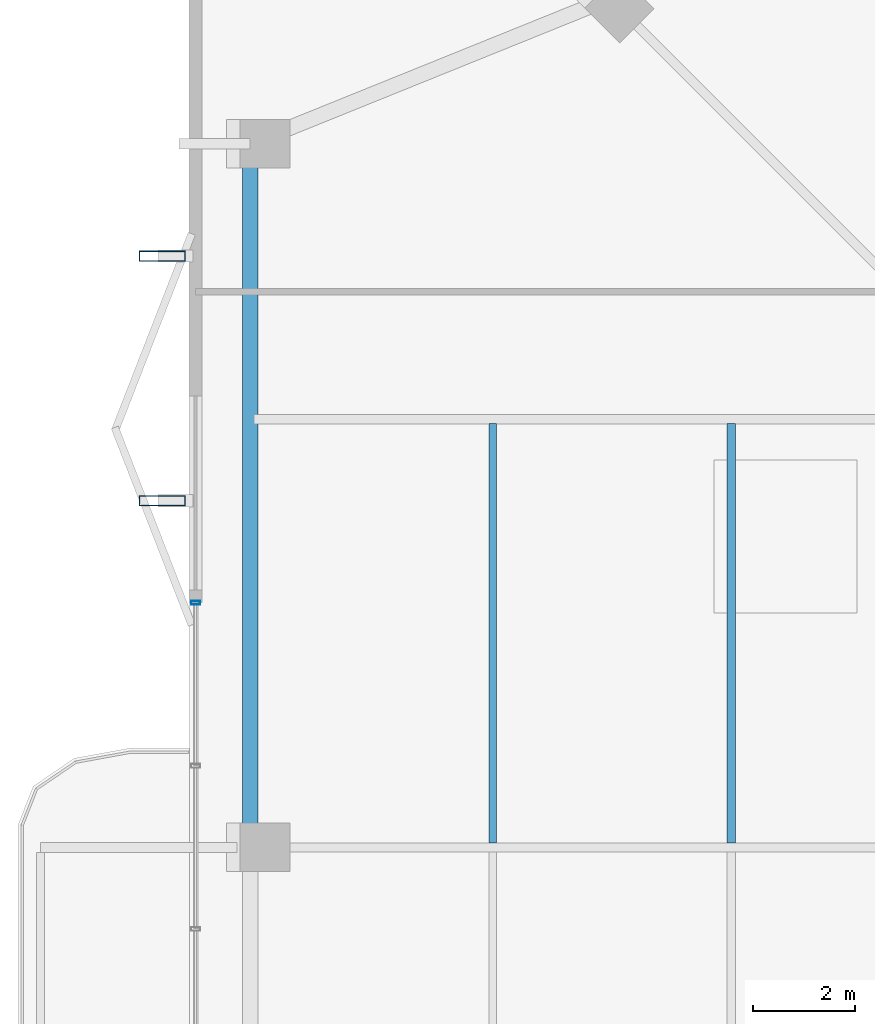
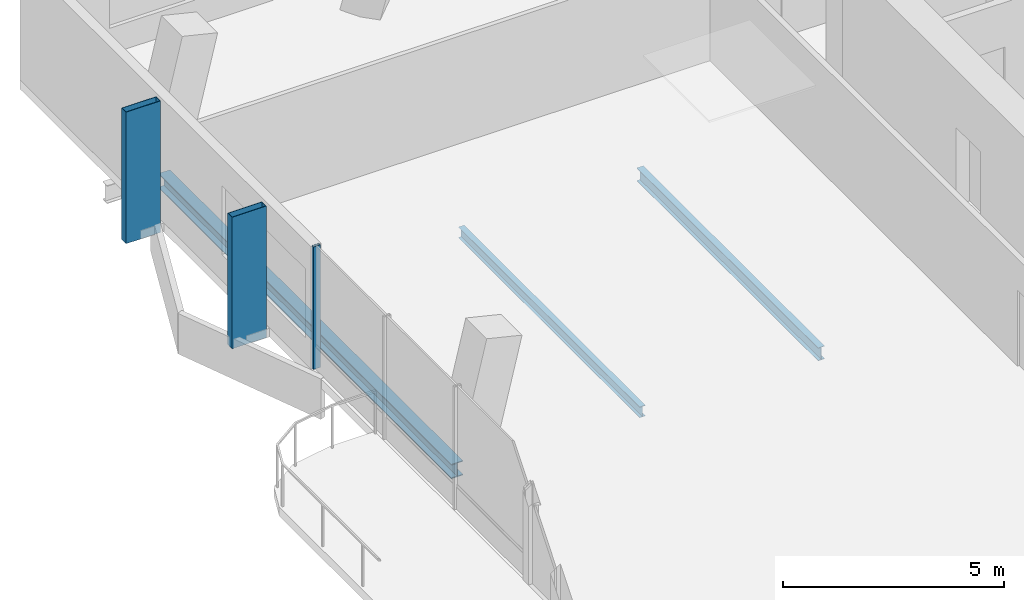
# One storey, part 11 of 25: 3 beams, 3 members, 1 element without a shape of its own.
"""IFC4 building model written with IfcOpenShell, lengths in metres."""

from ifc_helpers import new_model, si_unit, direction, frame, origin, origin_2d, place, context, subcontext, project, spatial, hollow_rectangle, i_section, extrude, material, layer, layer_set, material_profile, profile_set, type_object, element, aggregate, save


model = new_model("IFC4")

# Units and contexts
model_context = context("Model", 3, precision=1e-05, world=origin(), true_north=direction((0.0, 1.0)))
body_context = subcontext(model_context, "Body", "Model", "MODEL_VIEW")
ifc_project = project(units=[si_unit("LENGTHUNIT", "METRE"), si_unit("AREAUNIT", "SQUARE_METRE"), si_unit("VOLUMEUNIT", "CUBIC_METRE"), si_unit("PLANEANGLEUNIT", "RADIAN"), si_unit("MASSUNIT", "GRAM", prefix="KILO")], contexts=[model_context])

# Site, building, storey
site_placement = place(None, origin())
site = spatial("IfcSite", under=ifc_project, at=site_placement, CompositionType="ELEMENT")
building_placement = place(site_placement, origin())
building = spatial("IfcBuilding", under=site, at=building_placement, Name="Belovzor Exchange Tower", CompositionType="ELEMENT")
storey_placement = place(building_placement, frame((0.0, 0.0, 280.35009765625)))
storey = spatial("IfcBuildingStorey", under=building, at=storey_placement, Name="L70", CompositionType="ELEMENT", Elevation=280.35009765625)

# Beams
ifc_material_1 = material(Name="Steel S355", Category="steel")
ifc_material_profile_1 = material_profile(ifc_material_1, i_section(OverallWidth=0.169921875, OverallDepth=0.360107421875, WebThickness=0.008056640625, FlangeThickness=0.0126953125, at=origin_2d()))
ifc_profile_set_1 = profile_set([ifc_material_profile_1], Name="Steel S355")
beam_type_1 = type_object("IfcBeamType", Name="Secondary Infill Floor Joist IPE 360", PredefinedType="BEAM", material=ifc_profile_set_1)
beam_1_placement = place(storey_placement, frame((14.534912109375, 28.889892578125, -0.43017578125), z_axis=(0.0, 1.0, 0.0), x_axis=(-1.0, 0.0, 0.0)))
element("IfcBeam", 1, at=beam_1_placement, inside=storey, type_object=beam_type_1, Name="FJ-360 Secondary Infill Floor Joist IPE 360", PredefinedType="BEAM", context=body_context, shape_type="SweptSolid", body=[
    extrude(i_section(OverallWidth=0.169921875, OverallDepth=0.360107421875, WebThickness=0.008056640625, FlangeThickness=0.0126953125, at=origin_2d()), origin(), (0.0, 0.0, 1.0), 8.22021484375),
])
ifc_material_2 = material(Name="Steel S355", Category="steel")
ifc_material_profile_2 = material_profile(ifc_material_2, i_section(OverallWidth=0.14990234375, OverallDepth=0.300048828125, WebThickness=0.007080078125, FlangeThickness=0.0107421875, at=origin_2d()))
ifc_profile_set_2 = profile_set([ifc_material_profile_2], Name="Steel S355")
beam_type_2 = type_object("IfcBeamType", Name="Secondary Trim Floor Joist IPE 300", PredefinedType="BEAM", material=ifc_profile_set_2)
beam_2_placement = place(storey_placement, frame((9.85498046875, 28.889892578125, -0.400146484375), z_axis=(0.0, 1.0, 0.0), x_axis=(-1.0, 0.0, 0.0)))
element("IfcBeam", 2, at=beam_2_placement, inside=storey, type_object=beam_type_2, Name="FJ-300 Secondary Trim Floor Joist IPE 300", PredefinedType="BEAM", context=body_context, shape_type="SweptSolid", body=[
    extrude(i_section(OverallWidth=0.14990234375, OverallDepth=0.300048828125, WebThickness=0.007080078125, FlangeThickness=0.0107421875, at=origin_2d()), origin(), (0.0, 0.0, 1.0), 8.22021484375),
])

# Members
ifc_material_3 = material(Name="Extruded Architectural Terracotta on Steel S355 Carrier", Category="masonry")
ifc_material_profile_3 = material_profile(ifc_material_3, hollow_rectangle(XDim=0.199951171875, YDim=0.89990234375, WallThickness=0.011962890625, at=origin_2d()))
ifc_profile_set_3 = profile_set([ifc_material_profile_3], Name="Extruded Architectural Terracotta on Steel S355 Carrier")
member_type_1 = type_object("IfcMemberType", Name="Sweeping Terracotta Baguette Fin Assembly 950", PredefinedType="USERDEFINED", material=ifc_profile_set_3)
for number, where, z_axis, x_axis, name in (
    (3, (3.375, 35.60009765625, -0.25), (0.0, 0.0, 1.0), (0.0, 1.0, 0.0), "FIN-TC095 Terracotta Facade Fin L70 W3"),
    (4, (3.375, 40.39990234375, -0.25), (0.0, 0.0, 1.0), (0.0, 1.0, 0.0), "FIN-TC095 Terracotta Facade Fin L70 W4"),
):
    element("IfcMember", number, at=place(storey_placement, frame(where, z_axis=z_axis, x_axis=x_axis)), inside=storey, type_object=member_type_1, Name=name, ObjectType="FIN", PredefinedType="USERDEFINED", context=body_context, shape_type="SweptSolid", body=[
        extrude(hollow_rectangle(XDim=0.199951171875, YDim=0.89990234375, WallThickness=0.011962890625, at=origin_2d()), origin(), (0.0, 0.0, 1.0), 3.639892578125),
    ])

# Curtain wall, member
ifc_material_4 = material(Name="Anodised Aluminium Framing", Category="aluminium")
ifc_layer = layer(ifc_material_4, 0.179931640625)
ifc_layer_set = layer_set([ifc_layer], Name="Anodised Aluminium Framing")
curtain_wall_type = type_object("IfcCurtainWallType", Name="Recessed Loggia Low-Iron Triple-Glazed Curtain Wall", PredefinedType="NOTDEFINED", material=ifc_layer_set)
curtain_wall_placement = place(storey_placement, origin())
curtain_wall = element("IfcCurtainWall", 5, at=curtain_wall_placement, inside=storey, type_object=curtain_wall_type, Name="CW3 Recessed Loggia Low-Iron Triple-Glazed Curtain Wall L70", PredefinedType="NOTDEFINED")
ifc_material_5 = material(Name="Steel S355", Category="steel")
ifc_material_profile_4 = material_profile(ifc_material_5, hollow_rectangle(XDim=0.074951171875, YDim=0.179931640625, WallThickness=0.0048828125, at=origin_2d()))
ifc_profile_set_4 = profile_set([ifc_material_profile_4], Name="Steel S355")
member_type_2 = type_object("IfcMemberType", Name="Thermally Broken Curtain Wall Mullion 180x75", PredefinedType="MULLION", material=ifc_profile_set_4)
member_placement = place(storey_placement, frame((4.030029296875, 33.60009765625, 0.0), z_axis=(0.0, 0.0, 1.0), x_axis=(0.0, 1.0, 0.0)))
member = element("IfcMember", 6, at=member_placement, type_object=member_type_2, Name="CW-M180 Curtain Wall Mullion 4", PredefinedType="MULLION", context=body_context, shape_type="SweptSolid", body=[
    extrude(hollow_rectangle(XDim=0.074951171875, YDim=0.179931640625, WallThickness=0.0048828125, at=origin_2d()), origin(), (0.0, 0.0, 1.0), 3.389892578125),
])
aggregate(curtain_wall, [member])

# Beam
ifc_material_6 = material(Name="Steel S355", Category="steel")
ifc_material_profile_5 = material_profile(ifc_material_6, i_section(OverallWidth=0.300048828125, OverallDepth=0.39990234375, WebThickness=0.013427734375, FlangeThickness=0.02392578125, at=origin_2d()))
ifc_profile_set_5 = profile_set([ifc_material_profile_5], Name="Steel S355")
beam_type_3 = type_object("IfcBeamType", Name="Zone 5 Primary Girder HEB 400", PredefinedType="BEAM", material=ifc_profile_set_5)
beam_3_placement = place(storey_placement, frame((5.10009765625, 42.339111328125, -0.4501953125), z_axis=(0.0, -1.0, 0.0), x_axis=(1.0, 0.0, 0.0)))
element("IfcBeam", 7, at=beam_3_placement, inside=storey, type_object=beam_type_3, Name="FG-Z5 Zone 5 Primary Girder HEB 400", PredefinedType="BEAM", context=body_context, shape_type="SweptSolid", body=[
    extrude(i_section(OverallWidth=0.300048828125, OverallDepth=0.39990234375, WebThickness=0.013427734375, FlangeThickness=0.02392578125, at=origin_2d()), origin(), (0.0, 0.0, 1.0), 13.278076171875),
])

save(model, "model.ifc")
